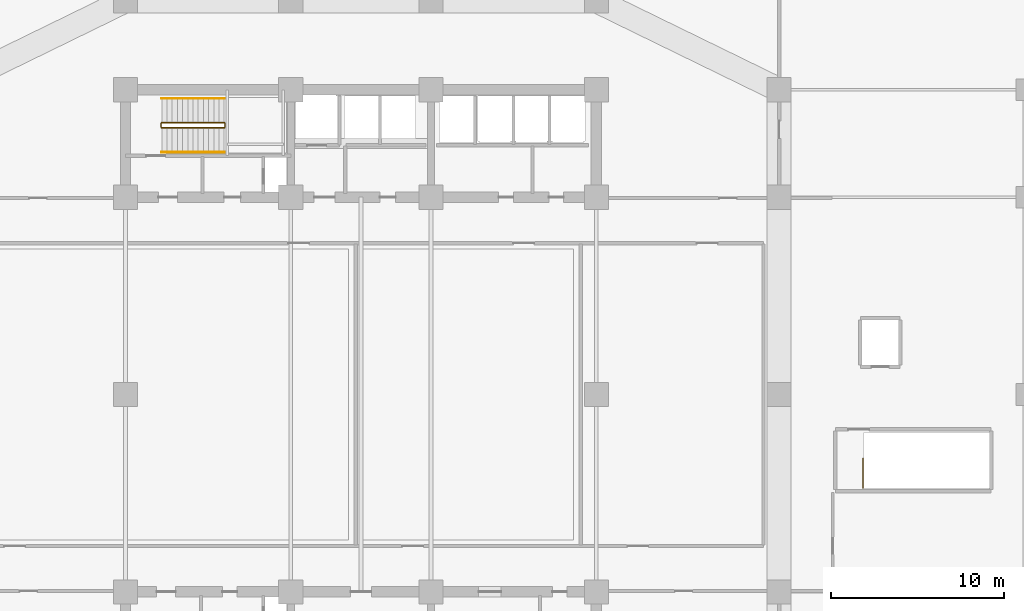
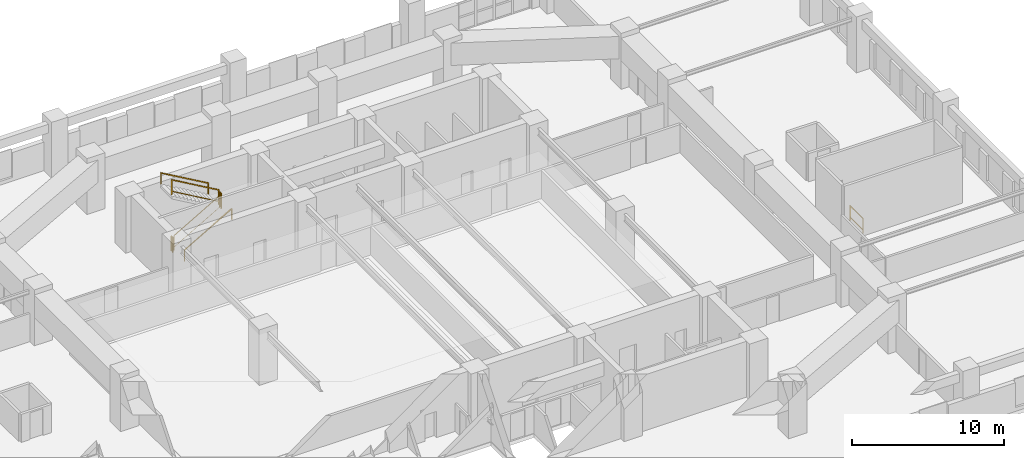
# One storey, part 13 of 13: 7 railings.
"""IFC4 building model written with IfcOpenShell, lengths in metres."""

import ifcopenshell
import ifcopenshell.guid

model = None  # the IFC model being written
_history = None  # IfcOwnerHistory: only IFC2X3 demands one
_inside = {}  # id of a spatial element -> (the spatial element, [elements in it])
_under = {}  # id of a project, library or spatial element -> (it, [spatial elements below it])
_declared = {}  # id of a project -> (the project, [libraries it declares])
_typed = {}  # id of a type object -> (the type object, [elements of that type])
_made_of = {}  # id of a material, layer set ... -> (it, [elements and type objects made of it])


def new_model(schema):
    """Start an empty IFC model of exactly this schema.

    Asked for "IFC4X3", IfcOpenShell would pick the latest addendum, in which some entities
    have other attributes; the version numbers below select the first issue.
    IFC2X3 requires an IfcOwnerHistory on every rooted entity: one is made here for all.
    """
    global model, _history
    if schema == "IFC4X3":
        model = ifcopenshell.file(schema_version=(4, 3, 0, 0))
    else:
        model = ifcopenshell.file(schema=schema)
    _inside.clear()
    _under.clear()
    _declared.clear()
    _typed.clear()
    _made_of.clear()
    _history = None
    if model.schema == "IFC2X3":
        org = make("IfcOrganization", Name="unknown")
        user = make(
            "IfcPersonAndOrganization",
            ThePerson=make("IfcPerson", FamilyName="unknown"),
            TheOrganization=org,
        )
        app = make(
            "IfcApplication",
            ApplicationDeveloper=org,
            Version="unknown",
            ApplicationFullName="unknown",
            ApplicationIdentifier="unknown",
        )
        _history = make(
            "IfcOwnerHistory",
            OwningUser=user,
            OwningApplication=app,
            ChangeAction="ADDED",
            CreationDate=0,
        )
    return model


def make(cls, **values):
    """One entity of the class cls with the attributes given. An attribute that is None is left unset."""
    return model.create_entity(
        cls, **{name: value for name, value in values.items() if value is not None}
    )


def rooted(cls, **values):
    """An entity with a GlobalId (a new one), such as an element, a storey or a relation."""
    return make(cls, GlobalId=ifcopenshell.guid.new(), OwnerHistory=_history, **values)


def si_unit(unit_type, name, prefix=None):
    """IfcSIUnit, for example si_unit("LENGTHUNIT", "METRE", prefix="MILLI")."""
    return make("IfcSIUnit", UnitType=unit_type, Prefix=prefix, Name=name)


def assignment(units):
    """IfcUnitAssignment: the units of a project."""
    return None if units is None else make("IfcUnitAssignment", Units=units)


def point(xyz):
    """IfcCartesianPoint."""
    return None if xyz is None else make("IfcCartesianPoint", Coordinates=xyz)


def direction(xyz):
    """IfcDirection."""
    return None if xyz is None else make("IfcDirection", DirectionRatios=xyz)


def frame(location, z_axis=None, x_axis=None):
    """IfcAxis2Placement3D, a coordinate frame: its origin and axes. An axis left out is left unset."""
    return make(
        "IfcAxis2Placement3D",
        Location=point(location),
        Axis=direction(z_axis),
        RefDirection=direction(x_axis),
    )


def frame_2d(location, x_axis=None):
    """IfcAxis2Placement2D, a coordinate frame in the plane: its origin and x axis."""
    return make(
        "IfcAxis2Placement2D", Location=point(location), RefDirection=direction(x_axis)
    )


def origin():
    """The frame at (0, 0, 0) with its axes left unset."""
    return frame((0.0, 0.0, 0.0))


def origin_2d():
    """The frame at (0, 0) in the plane with its x axis left unset."""
    return frame_2d((0.0, 0.0))


def place(relative_to, where):
    """IfcLocalPlacement: puts the frame where relative to a parent placement (None: the world)."""
    return make(
        "IfcLocalPlacement", PlacementRelTo=relative_to, RelativePlacement=where
    )


def context(
    kind, dimensions, precision=None, world=None, true_north=None, identifier=None
):
    """IfcGeometricRepresentationContext, for example the 3D "Model" context."""
    return make(
        "IfcGeometricRepresentationContext",
        ContextIdentifier=identifier,
        ContextType=kind,
        CoordinateSpaceDimension=dimensions,
        Precision=precision,
        WorldCoordinateSystem=world,
        TrueNorth=true_north,
    )


def subcontext(parent, identifier, kind, view, scale=None):
    """IfcGeometricRepresentationSubContext, for example "Body" below "Model"."""
    return make(
        "IfcGeometricRepresentationSubContext",
        ContextIdentifier=identifier,
        ContextType=kind,
        ParentContext=parent,
        TargetScale=scale,
        TargetView=view,
    )


def project(units=None, contexts=None):
    """IfcProject with its units and contexts."""
    return rooted(
        "IfcProject",
        Name="project",
        RepresentationContexts=contexts,
        UnitsInContext=assignment(units),
    )


def spatial(cls, under=None, at=None, **own):
    """A site, building, storey or space (cls), placed at a placement, below another one or the project."""
    s = rooted(cls, ObjectPlacement=at, **own)
    if under is not None:
        _under.setdefault(under.id(), (under, []))[1].append(s)
    return s


def profile(cls, at=None, kind="AREA", **sizes):
    """A parametric profile (cls). Its sizes go by their IFC names, for example OverallWidth=200.0."""
    return make(cls, ProfileType=kind, Position=at, **sizes)


def rectangle(**sizes):
    """IfcRectangleProfileDef."""
    return profile("IfcRectangleProfileDef", **sizes)


def extrude(swept, where, along, depth):
    """IfcExtrudedAreaSolid: the profile swept, set in the frame where, extruded along a direction by depth."""
    return make(
        "IfcExtrudedAreaSolid",
        SweptArea=swept,
        Position=where,
        ExtrudedDirection=direction(along),
        Depth=depth,
    )


def shape(context_of_items, identifier, shape_type, items):
    """IfcShapeRepresentation: the items that make up one representation, for example the "Body"."""
    return make(
        "IfcShapeRepresentation",
        ContextOfItems=context_of_items,
        RepresentationIdentifier=identifier,
        RepresentationType=shape_type,
        Items=items,
    )


def material(Name=None, Category=None):
    """IfcMaterial."""
    return make("IfcMaterial", Name=Name, Category=Category)


def made_of(thing, what):
    """Note that an element or type object is made of a material, layer set ...; save() writes the relation."""
    if what is not None:
        _made_of.setdefault(what.id(), (what, []))[1].append(thing)
    return thing


def type_object(cls, material=None, **own):
    """A type object (cls), such as IfcWallType, which elements share."""
    return made_of(rooted(cls, **own), material)


def element(
    cls,
    number,
    at=None,
    inside=None,
    cuts=None,
    type_object=None,
    material=None,
    context=None,
    identifier="Body",
    shape_type=None,
    held_by="IfcProductDefinitionShape",
    body=None,
    shapes=None,
    **own,
):
    """One element of the class cls, such as IfcWall. Its Tag is "e" and its number.

    at: its placement. inside: the storey or other place that contains it. cuts: it is an
    opening in that element (IfcRelVoidsElement). A single representation is given by context,
    identifier, shape_type and body (its items); several are given by shapes. held_by: the class
    of the entity that holds the representations. save() writes the other relations.
    """
    e = rooted(cls, Tag="e%d" % number, ObjectPlacement=at, **own)
    if body is not None:
        shapes = [shape(context, identifier, shape_type, body)]
    if shapes is not None:
        e.Representation = make(held_by, Representations=shapes)
    if inside is not None:
        _inside.setdefault(inside.id(), (inside, []))[1].append(e)
    if cuts is not None:
        rooted(
            "IfcRelVoidsElement", RelatingBuildingElement=cuts, RelatedOpeningElement=e
        )
    if type_object is not None:
        _typed.setdefault(type_object.id(), (type_object, []))[1].append(e)
    return made_of(e, material)


def aggregate(whole, parts):
    """IfcRelAggregates: a whole, such as a stair, and the parts it consists of."""
    return rooted("IfcRelAggregates", RelatingObject=whole, RelatedObjects=parts)


def save(model, path):
    """Write the relations noted so far, then the file.

    IfcRelAggregates (storeys below a building ...), IfcRelContainedInSpatialStructure (elements
    in a storey), IfcRelDefinesByType, IfcRelAssociatesMaterial and IfcRelDeclares: one each for
    every whole, place, type object, material and project.
    """
    for whole, parts in _under.values():
        aggregate(whole, parts)
    for where, things in _inside.values():
        rooted(
            "IfcRelContainedInSpatialStructure",
            RelatedElements=things,
            RelatingStructure=where,
        )
    for kind, things in _typed.values():
        rooted("IfcRelDefinesByType", RelatedObjects=things, RelatingType=kind)
    for what, things in _made_of.values():
        rooted("IfcRelAssociatesMaterial", RelatedObjects=things, RelatingMaterial=what)
    for by, libraries in _declared.values():
        rooted("IfcRelDeclares", RelatingContext=by, RelatedDefinitions=libraries)
    model.write(path)


model = new_model("IFC4")

# Units and contexts
model_context = context("Model", 3, precision=1e-05, world=origin(), true_north=direction((0.0, 1.0)))
body_context = subcontext(model_context, "Body", "Model", "MODEL_VIEW")
ifc_project = project(units=[si_unit("LENGTHUNIT", "METRE"), si_unit("AREAUNIT", "SQUARE_METRE"), si_unit("VOLUMEUNIT", "CUBIC_METRE"), si_unit("PLANEANGLEUNIT", "RADIAN"), si_unit("MASSUNIT", "GRAM", prefix="KILO")], contexts=[model_context])

# Site, building, storey
site_placement = place(None, origin())
site = spatial("IfcSite", under=ifc_project, at=site_placement, CompositionType="ELEMENT")
building_placement = place(site_placement, origin())
building = spatial("IfcBuilding", under=site, at=building_placement, Name="Svetorya Sky Lyceum", CompositionType="ELEMENT")
storey_placement = place(building_placement, frame((0.0, 0.0, 20.10009765625)))
storey = spatial("IfcBuildingStorey", under=building, at=storey_placement, Name="L04", CompositionType="ELEMENT", Elevation=20.10009765625)

# Railings
ifc_material_1 = material(Name="Painted galvanized stair well guard")
railing_type_1 = type_object("IfcRailingType", Name="RL-STR-GUARD-1200", PredefinedType="GUARDRAIL", material=ifc_material_1)
railing_1_placement = place(storey_placement, frame((27.699951171875, 43.60009765625, 0.173095703125)))
element("IfcRailing", 1, at=railing_1_placement, inside=storey, type_object=railing_type_1, Name="L04 ST-N stair guard 1", PredefinedType="GUARDRAIL", context=body_context, shape_type="SweptSolid", body=[
    extrude(rectangle(XDim=0.048095703125, YDim=0.048095703125, at=origin_2d()), frame((0.0, 0.0, 1.17578125), z_axis=(0.866193409371, 0.0, 0.499708892819), x_axis=(0.0, 1.0, 0.0)), (0.0, 0.0, 1.0), 4.15625),
    extrude(rectangle(XDim=0.02392578125, YDim=0.02392578125, at=origin_2d()), frame((0.0, 0.0, 0.25), z_axis=(0.866193409371, 0.0, 0.499708892819), x_axis=(0.0, 1.0, 0.0)), (0.0, 0.0, 1.0), 4.15625),
    extrude(rectangle(XDim=0.0419921875, YDim=0.0419921875, at=origin_2d()), origin(), (0.0, 0.0, 1.0), 1.15185546875),
    extrude(rectangle(XDim=0.0419921875, YDim=0.0419921875, at=origin_2d()), frame((3.60009765625, 0.0, 2.076904296875)), (0.0, 0.0, 1.0), 1.15185546875),
])
railing_2_placement = place(storey_placement, frame((31.35009765625, 43.64990234375, 2.25)))
element("IfcRailing", 2, at=railing_2_placement, inside=storey, type_object=railing_type_1, Name="L04 ST-N stair guard 2", PredefinedType="GUARDRAIL", context=body_context, shape_type="SweptSolid", body=[
    extrude(rectangle(XDim=0.048095703125, YDim=0.048095703125, at=origin_2d()), frame((0.0, 0.0, 1.17578125), z_axis=(0.0, 1.0, 0.0), x_axis=(-1.0, 0.0, 0.0)), (0.0, 0.0, 1.0), 0.2001953125),
    extrude(rectangle(XDim=0.02392578125, YDim=0.02392578125, at=origin_2d()), frame((0.0, 0.0, 0.25), z_axis=(0.0, 1.0, 0.0), x_axis=(-1.0, 0.0, 0.0)), (0.0, 0.0, 1.0), 0.2001953125),
    extrude(rectangle(XDim=0.0419921875, YDim=0.0419921875, at=origin_2d()), origin(), (0.0, 0.0, 1.0), 1.15185546875),
    extrude(rectangle(XDim=0.0419921875, YDim=0.0419921875, at=origin_2d()), frame((0.0, 0.2001953125, 0.0)), (0.0, 0.0, 1.0), 1.15185546875),
])
railing_3_placement = place(storey_placement, frame((31.300048828125, 43.89990234375, 2.423095703125)))
element("IfcRailing", 3, at=railing_3_placement, inside=storey, type_object=railing_type_1, Name="L04 ST-N stair guard 3", PredefinedType="GUARDRAIL", context=body_context, shape_type="SweptSolid", body=[
    extrude(rectangle(XDim=0.048095703125, YDim=0.048095703125, at=origin_2d()), frame((0.0, 0.0, 1.17578125), z_axis=(-0.866193409371, 0.0, 0.499708892819), x_axis=(0.0, -1.0, 0.0)), (0.0, 0.0, 1.0), 4.15625),
    extrude(rectangle(XDim=0.02392578125, YDim=0.02392578125, at=origin_2d()), frame((0.0, 0.0, 0.25), z_axis=(-0.866193409371, 0.0, 0.499708892819), x_axis=(0.0, -1.0, 0.0)), (0.0, 0.0, 1.0), 4.15625),
    extrude(rectangle(XDim=0.0419921875, YDim=0.0419921875, at=origin_2d()), origin(), (0.0, 0.0, 1.0), 1.15185546875),
    extrude(rectangle(XDim=0.0419921875, YDim=0.0419921875, at=origin_2d()), frame((-3.60009765625, 0.0, 2.076904296875)), (0.0, 0.0, 1.0), 1.15185546875),
])
railing_4_placement = place(storey_placement, frame((27.64990234375, 43.64990234375, 0.0)))
element("IfcRailing", 4, at=railing_4_placement, inside=storey, type_object=railing_type_1, Name="L04 ST-N stair guard 4", PredefinedType="GUARDRAIL", context=body_context, shape_type="SweptSolid", body=[
    extrude(rectangle(XDim=0.048095703125, YDim=0.048095703125, at=origin_2d()), frame((0.0, 0.0, 1.17578125), z_axis=(0.0, 1.0, 0.0), x_axis=(-1.0, 0.0, 0.0)), (0.0, 0.0, 1.0), 0.2001953125),
    extrude(rectangle(XDim=0.02392578125, YDim=0.02392578125, at=origin_2d()), frame((0.0, 0.0, 0.25), z_axis=(0.0, 1.0, 0.0), x_axis=(-1.0, 0.0, 0.0)), (0.0, 0.0, 1.0), 0.2001953125),
    extrude(rectangle(XDim=0.0419921875, YDim=0.0419921875, at=origin_2d()), origin(), (0.0, 0.0, 1.0), 1.15185546875),
    extrude(rectangle(XDim=0.0419921875, YDim=0.0419921875, at=origin_2d()), frame((0.0, 0.2001953125, 0.0)), (0.0, 0.0, 1.0), 1.15185546875),
])
railing_5_placement = place(storey_placement, frame((68.199951171875, 22.800048828125, 0.0)))
element("IfcRailing", 5, at=railing_5_placement, inside=storey, type_object=railing_type_1, Name="L04 ST-SCH-E top well guard 1", PredefinedType="GUARDRAIL", context=body_context, shape_type="SweptSolid", body=[
    extrude(rectangle(XDim=0.048095703125, YDim=0.048095703125, at=origin_2d()), frame((0.0, 0.0, 1.17578125), z_axis=(0.0, 1.0, 0.0), x_axis=(-1.0, 0.0, 0.0)), (0.0, 0.0, 1.0), 1.699951171875),
    extrude(rectangle(XDim=0.02392578125, YDim=0.02392578125, at=origin_2d()), frame((0.0, 0.0, 0.25), z_axis=(0.0, 1.0, 0.0), x_axis=(-1.0, 0.0, 0.0)), (0.0, 0.0, 1.0), 1.699951171875),
    extrude(rectangle(XDim=0.0419921875, YDim=0.0419921875, at=origin_2d()), origin(), (0.0, 0.0, 1.0), 1.15185546875),
    extrude(rectangle(XDim=0.0419921875, YDim=0.0419921875, at=origin_2d()), frame((0.0, 1.699951171875, 0.0)), (0.0, 0.0, 1.0), 1.15185546875),
])
ifc_material_2 = material(Name="Brushed stainless AISI 304 stair handrail")
railing_type_2 = type_object("IfcRailingType", Name="RL-STR-HAND-920", PredefinedType="HANDRAIL", material=ifc_material_2)
railing_6_placement = place(storey_placement, frame((27.699951171875, 42.199951171875, 0.173095703125)))
element("IfcRailing", 6, at=railing_6_placement, inside=storey, type_object=railing_type_2, Name="L04 ST-N stair handrail 1", PredefinedType="HANDRAIL", context=body_context, shape_type="SweptSolid", body=[
    extrude(rectangle(XDim=0.048095703125, YDim=0.048095703125, at=origin_2d()), frame((0.0, 0.0, 0.8759765625), z_axis=(0.866193409371, 0.0, 0.499708892819), x_axis=(0.0, 1.0, 0.0)), (0.0, 0.0, 1.0), 4.15625),
    extrude(rectangle(XDim=0.0419921875, YDim=0.0419921875, at=origin_2d()), origin(), (0.0, 0.0, 1.0), 0.851806640625),
    extrude(rectangle(XDim=0.0419921875, YDim=0.0419921875, at=origin_2d()), frame((3.60009765625, 0.0, 2.076904296875)), (0.0, 0.0, 1.0), 0.851806640625),
])
railing_7_placement = place(storey_placement, frame((31.300048828125, 45.300048828125, 2.423095703125)))
element("IfcRailing", 7, at=railing_7_placement, inside=storey, type_object=railing_type_2, Name="L04 ST-N stair handrail 2", PredefinedType="HANDRAIL", context=body_context, shape_type="SweptSolid", body=[
    extrude(rectangle(XDim=0.048095703125, YDim=0.048095703125, at=origin_2d()), frame((0.0, 0.0, 0.8759765625), z_axis=(-0.866193409371, 0.0, 0.499708892819), x_axis=(0.0, -1.0, 0.0)), (0.0, 0.0, 1.0), 4.15625),
    extrude(rectangle(XDim=0.0419921875, YDim=0.0419921875, at=origin_2d()), origin(), (0.0, 0.0, 1.0), 0.851806640625),
    extrude(rectangle(XDim=0.0419921875, YDim=0.0419921875, at=origin_2d()), frame((-3.60009765625, 0.0, 2.076904296875)), (0.0, 0.0, 1.0), 0.851806640625),
])

save(model, "model.ifc")
